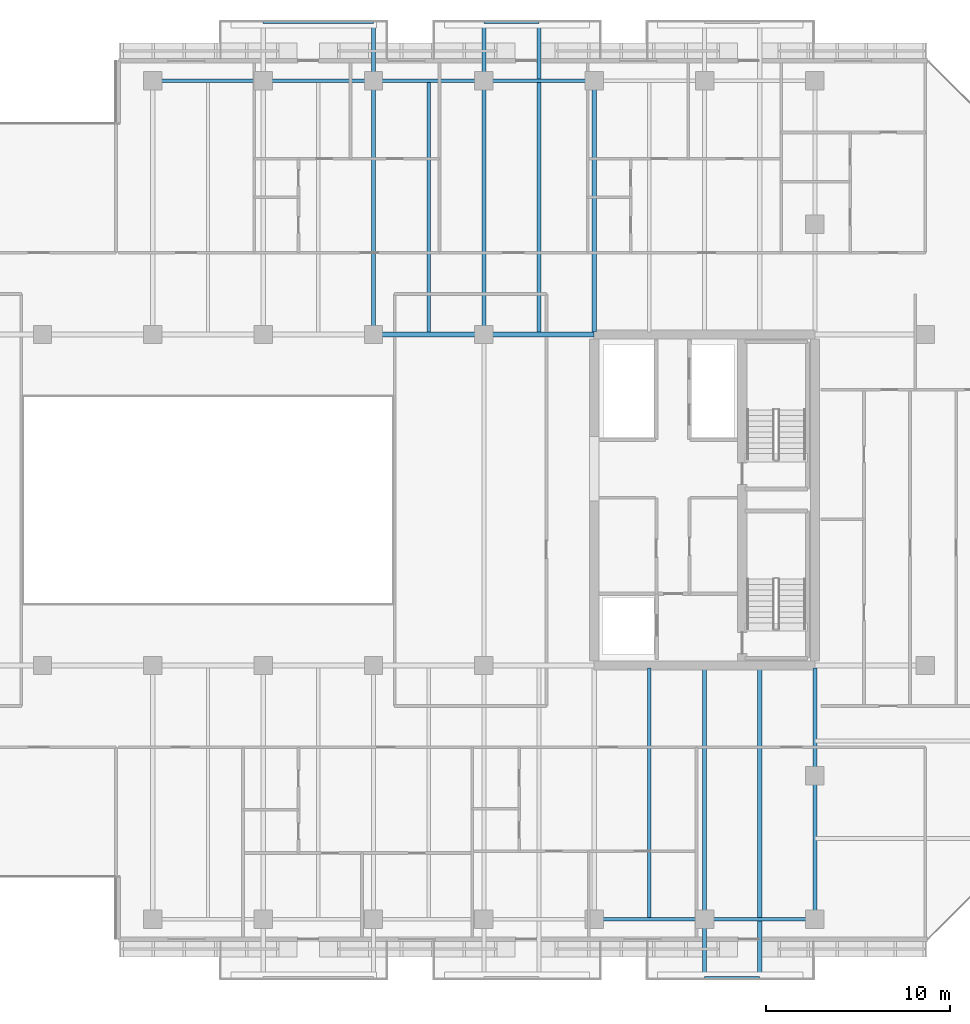
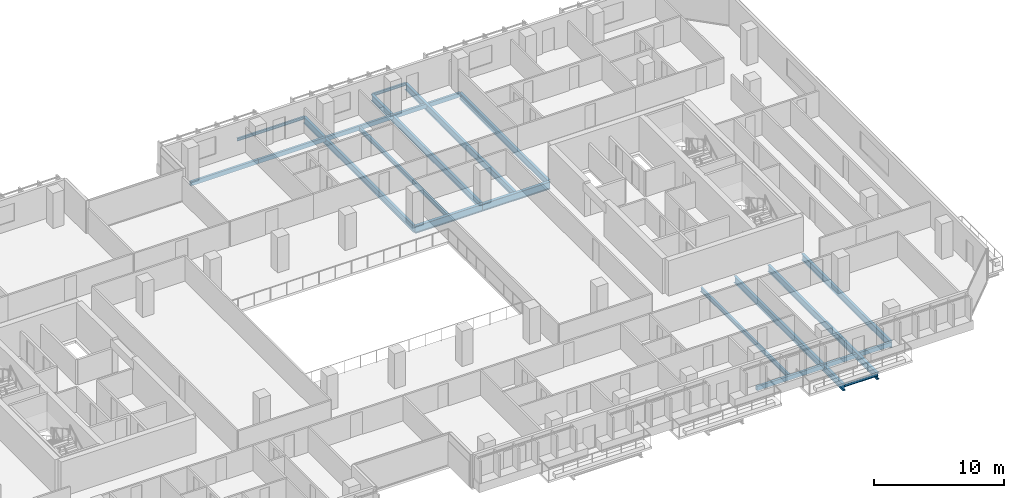
# One storey, part 14 of 33: 20 beams.
"""IFC4 building model written with IfcOpenShell, lengths in metres."""

from ifc_helpers import new_model, si_unit, direction, frame, origin, origin_2d, place, context, subcontext, project, spatial, hollow_rectangle, i_section, extrude, material, material_profile, profile_set, type_object, element, save


model = new_model("IFC4")

# Units and contexts
model_context = context("Model", 3, precision=1e-05, world=origin(), true_north=direction((0.0, 1.0)))
body_context = subcontext(model_context, "Body", "Model", "MODEL_VIEW")
ifc_project = project(units=[si_unit("LENGTHUNIT", "METRE"), si_unit("AREAUNIT", "SQUARE_METRE"), si_unit("VOLUMEUNIT", "CUBIC_METRE"), si_unit("PLANEANGLEUNIT", "RADIAN"), si_unit("MASSUNIT", "GRAM", prefix="KILO")], contexts=[model_context])

# Site, building, storey
site_placement = place(None, origin())
site = spatial("IfcSite", under=ifc_project, at=site_placement, CompositionType="ELEMENT")
building_placement = place(site_placement, origin())
building = spatial("IfcBuilding", under=site, at=building_placement, Name="Tanjung Sevakor Pilgrim Tower", CompositionType="ELEMENT")
storey_placement = place(building_placement, frame((0.0, 0.0, 95.3701171875)))
storey = spatial("IfcBuildingStorey", under=building, at=storey_placement, Name="L26", CompositionType="ELEMENT", Elevation=95.3701171875)

# Beams
ifc_material_1 = material(Name="Steel S355J2", Category="steel")
ifc_material_profile_1 = material_profile(ifc_material_1, i_section(OverallWidth=0.25439453125, OverallDepth=0.6875, WebThickness=0.01318359375, FlangeThickness=0.02099609375, FilletRadius=0.01513671875, at=origin_2d()))
ifc_profile_set_1 = profile_set([ifc_material_profile_1], Name="Steel S355J2")
beam_type_1 = type_object("IfcBeamType", Name="BM-B-G2-UB_686x254x152", PredefinedType="BEAM", material=ifc_profile_set_1)
for number, where, z_axis, x_axis, name in (
    (1, (66.0, 42.60009765625, -0.563720703125), (1.0, 0.0, 0.0), (0.0, 1.0, 0.0), "L26 Primary Floor Girder MAIN Y426-07"),
    (2, (72.0, 42.60009765625, -0.563720703125), (1.0, 0.0, 0.0), (0.0, 1.0, 0.0), "L26 Primary Floor Girder MAIN Y426-08"),
):
    element("IfcBeam", number, at=place(storey_placement, frame(where, z_axis=z_axis, x_axis=x_axis)), inside=storey, type_object=beam_type_1, Name=name, PredefinedType="BEAM", context=body_context, shape_type="SweptSolid", body=[
        extrude(i_section(OverallWidth=0.25439453125, OverallDepth=0.6875, WebThickness=0.01318359375, FlangeThickness=0.02099609375, FilletRadius=0.01513671875, at=origin_2d()), origin(), (0.0, 0.0, 1.0), 6.0),
    ])
ifc_material_2 = material(Name="Steel S355J2", Category="steel")
ifc_material_profile_2 = material_profile(ifc_material_2, i_section(OverallWidth=0.230224609375, OverallDepth=0.6171875, WebThickness=0.01318359375, FlangeThickness=0.022216796875, FilletRadius=0.0126953125, at=origin_2d()))
ifc_profile_set_2 = profile_set([ifc_material_profile_2], Name="Steel S355J2")
beam_type_2 = type_object("IfcBeamType", Name="BM-B-G3-UB_610x229x140", PredefinedType="BEAM", material=ifc_profile_set_2)
for number, where, z_axis, x_axis, name in (
    (3, (66.0, 42.60009765625, -0.52880859375), (0.0, 1.0, 0.0), (-1.0, 0.0, 0.0), "L26 Balcony Cantilever Beam MAIN-N2-2"),
    (4, (72.0, 42.60009765625, -0.52880859375), (0.0, 1.0, 0.0), (-1.0, 0.0, 0.0), "L26 Balcony Cantilever Beam MAIN-N3-1"),
):
    element("IfcBeam", number, at=place(storey_placement, frame(where, z_axis=z_axis, x_axis=x_axis)), inside=storey, type_object=beam_type_2, Name=name, PredefinedType="BEAM", context=body_context, shape_type="SweptSolid", body=[
        extrude(i_section(OverallWidth=0.230224609375, OverallDepth=0.6171875, WebThickness=0.01318359375, FlangeThickness=0.022216796875, FilletRadius=0.0126953125, at=origin_2d()), origin(), (0.0, 0.0, 1.0), 16.97998046875),
    ])
beam_1_placement = place(storey_placement, frame((78.0, 42.727294921875, -0.52880859375), z_axis=(0.0, 1.0, 0.0), x_axis=(-1.0, 0.0, 0.0)))
element("IfcBeam", 5, at=beam_1_placement, inside=storey, type_object=beam_type_2, Name="L26 MAIN Girder 022", PredefinedType="BEAM", context=body_context, shape_type="SweptSolid", body=[
    extrude(i_section(OverallWidth=0.230224609375, OverallDepth=0.6171875, WebThickness=0.01318359375, FlangeThickness=0.022216796875, FilletRadius=0.0126953125, at=origin_2d()), origin(), (0.0, 0.0, 1.0), 13.672607421875),
])
beam_2_placement = place(storey_placement, frame((84.0, 24.47265625, -0.52880859375), z_axis=(0.0, -1.0, 0.0), x_axis=(1.0, 0.0, 0.0)))
element("IfcBeam", 6, at=beam_2_placement, inside=storey, type_object=beam_type_2, Name="L26 Balcony Cantilever Beam MAIN-S4-1", PredefinedType="BEAM", context=body_context, shape_type="SweptSolid", body=[
    extrude(i_section(OverallWidth=0.230224609375, OverallDepth=0.6171875, WebThickness=0.01318359375, FlangeThickness=0.022216796875, FilletRadius=0.0126953125, at=origin_2d()), origin(), (0.0, 0.0, 1.0), 16.8525390625),
])
beam_3_placement = place(storey_placement, frame((90.0, 10.800048828125, -0.52880859375), z_axis=(0.0, 1.0, 0.0), x_axis=(-1.0, 0.0, 0.0)))
element("IfcBeam", 7, at=beam_3_placement, inside=storey, type_object=beam_type_2, Name="L26 MAIN Girder 025", PredefinedType="BEAM", context=body_context, shape_type="SweptSolid", body=[
    extrude(i_section(OverallWidth=0.230224609375, OverallDepth=0.6171875, WebThickness=0.01318359375, FlangeThickness=0.022216796875, FilletRadius=0.0126953125, at=origin_2d()), origin(), (0.0, 0.0, 1.0), 13.672607421875),
])
ifc_material_3 = material(Name="Steel S355J2", Category="steel")
ifc_material_profile_3 = material_profile(ifc_material_3, i_section(OverallWidth=0.22900390625, OverallDepth=0.6123046875, WebThickness=0.011962890625, FlangeThickness=0.01953125, FilletRadius=0.0126953125, at=origin_2d()))
ifc_profile_set_3 = profile_set([ifc_material_profile_3], Name="Steel S355J2")
beam_type_3 = type_object("IfcBeamType", Name="BM-B-G4-UB_610x229x125", PredefinedType="BEAM", material=ifc_profile_set_3)
beam_4_placement = place(storey_placement, frame((75.0, 42.727294921875, -0.526123046875), z_axis=(0.0, 1.0, 0.0), x_axis=(-1.0, 0.0, 0.0)))
element("IfcBeam", 8, at=beam_4_placement, inside=storey, type_object=beam_type_3, Name="L26 Balcony Cantilever Beam MAIN-N3-2", PredefinedType="BEAM", context=body_context, shape_type="SweptSolid", body=[
    extrude(i_section(OverallWidth=0.22900390625, OverallDepth=0.6123046875, WebThickness=0.011962890625, FlangeThickness=0.01953125, FilletRadius=0.0126953125, at=origin_2d()), origin(), (0.0, 0.0, 1.0), 16.852783203125),
])
beam_5_placement = place(storey_placement, frame((87.0, 24.47265625, -0.526123046875), z_axis=(0.0, -1.0, 0.0), x_axis=(1.0, 0.0, 0.0)))
element("IfcBeam", 9, at=beam_5_placement, inside=storey, type_object=beam_type_3, Name="L26 Balcony Cantilever Beam MAIN-S4-2", PredefinedType="BEAM", context=body_context, shape_type="SweptSolid", body=[
    extrude(i_section(OverallWidth=0.22900390625, OverallDepth=0.6123046875, WebThickness=0.011962890625, FlangeThickness=0.01953125, FilletRadius=0.0126953125, at=origin_2d()), origin(), (0.0, 0.0, 1.0), 16.8525390625),
])
ifc_material_4 = material(Name="Steel S355J2", Category="steel")
ifc_material_profile_4 = material_profile(ifc_material_4, i_section(OverallWidth=0.1787109375, OverallDepth=0.409423828125, WebThickness=0.0087890625, FlangeThickness=0.014404296875, FilletRadius=0.01025390625, at=origin_2d()))
ifc_profile_set_4 = profile_set([ifc_material_profile_4], Name="Steel S355J2")
beam_type_4 = type_object("IfcBeamType", Name="BM-B-J3-UB_406x178x67", PredefinedType="JOIST", material=ifc_profile_set_4)
for number, where, z_axis, x_axis, name in (
    (10, (69.0, 42.727294921875, -0.4248046875), (0.0, 1.0, 0.0), (-1.0, 0.0, 0.0), "L26 MAIN Joist 019"),
    (11, (81.0, 10.89990234375, -0.4248046875), (0.0, 1.0, 0.0), (-1.0, 0.0, 0.0), "L26 MAIN Joist 023"),
):
    element("IfcBeam", number, at=place(storey_placement, frame(where, z_axis=z_axis, x_axis=x_axis)), inside=storey, type_object=beam_type_4, Name=name, PredefinedType="JOIST", context=body_context, shape_type="SweptSolid", body=[
        extrude(i_section(OverallWidth=0.1787109375, OverallDepth=0.409423828125, WebThickness=0.0087890625, FlangeThickness=0.014404296875, FilletRadius=0.01025390625, at=origin_2d()), origin(), (0.0, 0.0, 1.0), 13.57275390625),
    ])
ifc_material_5 = material(Name="Steel S355J2", Category="steel")
ifc_material_profile_5 = material_profile(ifc_material_5, i_section(OverallWidth=0.146484375, OverallDepth=0.256103515625, WebThickness=0.00634765625, FlangeThickness=0.010986328125, FilletRadius=0.007568359375, at=origin_2d()))
ifc_profile_set_5 = profile_set([ifc_material_profile_5], Name="Steel S355J2")
beam_type_5 = type_object("IfcBeamType", Name="BM-B-J6-UB_254x146x37", PredefinedType="JOIST", material=ifc_profile_set_5)
beam_6_placement = place(storey_placement, frame((60.0, 59.580078125, -0.328125), z_axis=(1.0, 0.0, 0.0), x_axis=(0.0, 1.0, 0.0)))
element("IfcBeam", 12, at=beam_6_placement, inside=storey, type_object=beam_type_5, Name="L26 Balcony Rim Tie MAIN-N2", PredefinedType="JOIST", context=body_context, shape_type="SweptSolid", body=[
    extrude(i_section(OverallWidth=0.146484375, OverallDepth=0.256103515625, WebThickness=0.00634765625, FlangeThickness=0.010986328125, FilletRadius=0.007568359375, at=origin_2d()), origin(), (0.0, 0.0, 1.0), 6.0),
])
for number, where, z_axis, x_axis, name in (
    (13, (72.0, 59.580078125, -0.328125), (1.0, 0.0, 0.0), (0.0, 1.0, 0.0), "L26 Balcony Rim Tie MAIN-N3"),
    (14, (84.0, 7.6201171875, -0.328125), (1.0, 0.0, 0.0), (0.0, 1.0, 0.0), "L26 Balcony Rim Tie MAIN-S4"),
):
    element("IfcBeam", number, at=place(storey_placement, frame(where, z_axis=z_axis, x_axis=x_axis)), inside=storey, type_object=beam_type_5, Name=name, PredefinedType="JOIST", context=body_context, shape_type="SweptSolid", body=[
        extrude(i_section(OverallWidth=0.146484375, OverallDepth=0.256103515625, WebThickness=0.00634765625, FlangeThickness=0.010986328125, FilletRadius=0.007568359375, at=origin_2d()), origin(), (0.0, 0.0, 1.0), 3.0),
    ])
ifc_material_6 = material(Name="Steel S355J2", Category="steel")
ifc_material_profile_6 = material_profile(ifc_material_6, hollow_rectangle(XDim=0.199951171875, YDim=0.39990234375, WallThickness=0.01611328125, at=origin_2d()))
ifc_profile_set_6 = profile_set([ifc_material_profile_6], Name="Steel S355J2")
beam_type_6 = type_object("IfcBeamType", Name="BM-B-SP2-RHS_400x200x16", PredefinedType="SPANDREL", material=ifc_profile_set_6)
for number, where, z_axis, x_axis, name in (
    (15, (54.0, 56.39990234375, -0.420166015625), (1.0, 0.0, 0.0), (0.0, 1.0, 0.0), "L26 Spandrel MAIN N-08"),
    (16, (60.0, 56.39990234375, -0.420166015625), (1.0, 0.0, 0.0), (0.0, 1.0, 0.0), "L26 Spandrel MAIN N-10"),
    (17, (66.0, 56.39990234375, -0.420166015625), (1.0, 0.0, 0.0), (0.0, 1.0, 0.0), "L26 Spandrel MAIN N-12"),
    (18, (72.0, 56.39990234375, -0.420166015625), (1.0, 0.0, 0.0), (0.0, 1.0, 0.0), "L26 Spandrel MAIN N-14"),
    (19, (78.0, 10.800048828125, -0.420166015625), (1.0, 0.0, 0.0), (0.0, 1.0, 0.0), "L26 Spandrel MAIN S-15"),
    (20, (84.0, 10.800048828125, -0.420166015625), (1.0, 0.0, 0.0), (0.0, 1.0, 0.0), "L26 Spandrel MAIN S-17"),
):
    element("IfcBeam", number, at=place(storey_placement, frame(where, z_axis=z_axis, x_axis=x_axis)), inside=storey, type_object=beam_type_6, Name=name, PredefinedType="SPANDREL", context=body_context, shape_type="SweptSolid", body=[
        extrude(hollow_rectangle(XDim=0.199951171875, YDim=0.39990234375, WallThickness=0.01611328125, at=origin_2d()), origin(), (0.0, 0.0, 1.0), 6.0),
    ])

save(model, "model.ifc")
